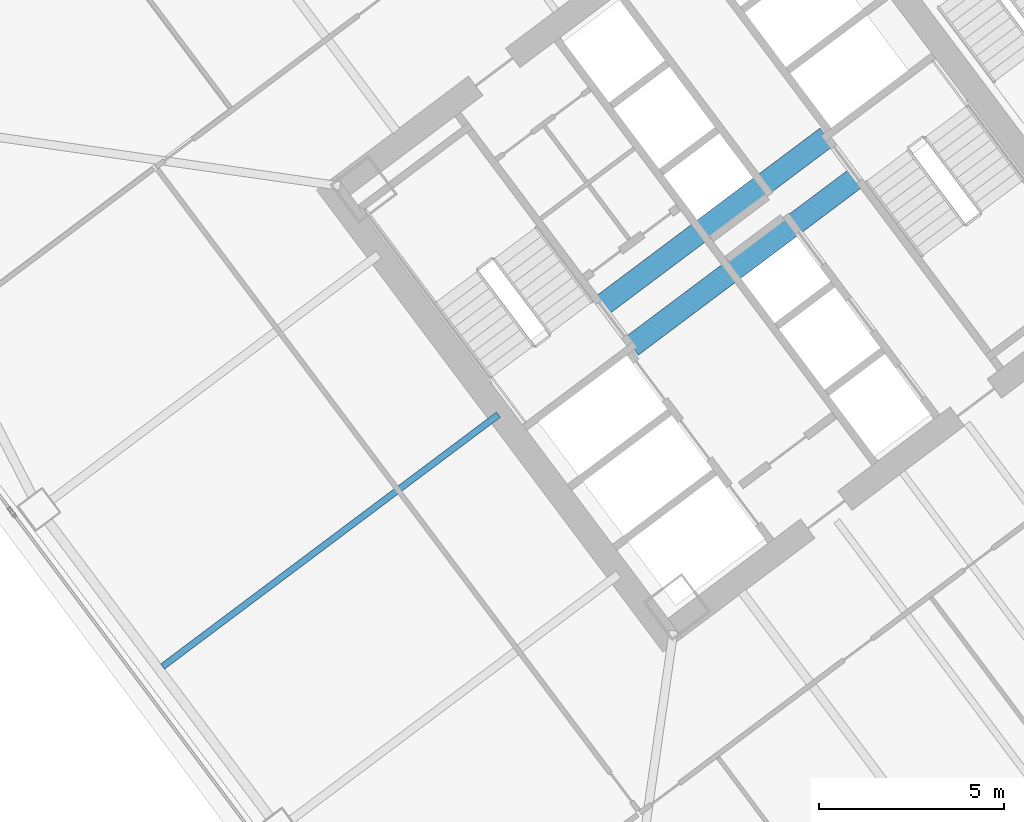
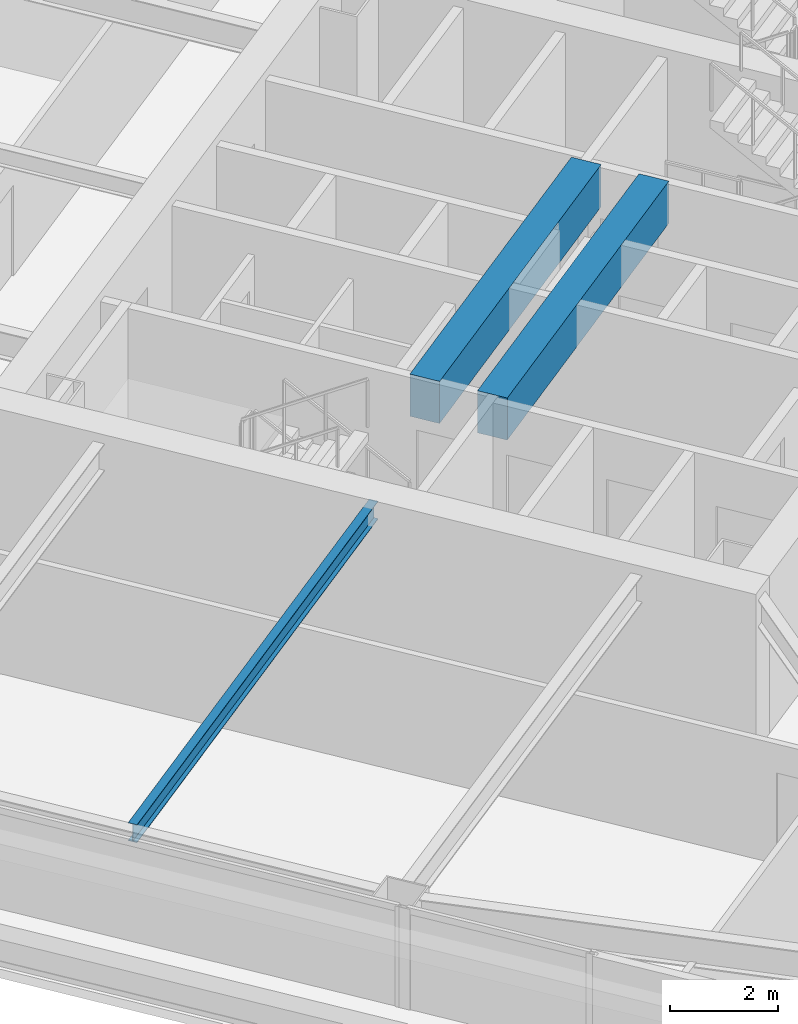
# One storey, part 22 of 44: 3 beams.
"""IFC4 building model written with IfcOpenShell, lengths in metres."""

from ifc_helpers import new_model, si_unit, direction, frame, origin, origin_2d, place, context, subcontext, project, spatial, rectangle, i_section, extrude, material, material_profile, profile_set, type_object, element, save


model = new_model("IFC4")

# Units and contexts
model_context = context("Model", 3, precision=1e-05, world=origin(), true_north=direction((0.0, 1.0)))
body_context = subcontext(model_context, "Body", "Model", "MODEL_VIEW")
ifc_project = project(units=[si_unit("LENGTHUNIT", "METRE"), si_unit("AREAUNIT", "SQUARE_METRE"), si_unit("VOLUMEUNIT", "CUBIC_METRE"), si_unit("PLANEANGLEUNIT", "RADIAN"), si_unit("MASSUNIT", "GRAM", prefix="KILO")], contexts=[model_context])

# Site, building, storey
site_placement = place(None, origin())
site = spatial("IfcSite", under=ifc_project, at=site_placement, CompositionType="ELEMENT")
building_placement = place(site_placement, origin())
building = spatial("IfcBuilding", under=site, at=building_placement, Name="Tashvorn Skyway Center", CompositionType="ELEMENT")
storey_placement = place(building_placement, frame((0.0, 0.0, 74.300048828125)))
storey = spatial("IfcBuildingStorey", under=building, at=storey_placement, Name="L19", CompositionType="ELEMENT", Elevation=74.300048828125)

# Beams
ifc_material_1 = material(Name="Steel ASTM A992 Grade 50", Category="steel")
ifc_material_profile_1 = material_profile(ifc_material_1, i_section(OverallWidth=0.177978515625, OverallDepth=0.406005859375, WebThickness=0.0078125, FlangeThickness=0.0126953125, at=origin_2d()), Name="W16X40")
ifc_profile_set_1 = profile_set([ifc_material_profile_1], Name="Steel ASTM A992 Grade 50")
beam_type_1 = type_object("IfcBeamType", Name="BM-JOIST-W16X40", PredefinedType="JOIST", material=ifc_profile_set_1)
beam_placement = place(storey_placement, frame((107.76806640625, 27.325927734375, 3.14697265625), z_axis=(-0.800002583493, -0.599996555327, 0.0), x_axis=(0.599996555327, -0.800002583493, 0.0)))
element("IfcBeam", 1, at=beam_placement, inside=storey, type_object=beam_type_1, Name="Tower 2 L19 Secondary Composite Joist JW", PredefinedType="JOIST", context=body_context, shape_type="SweptSolid", body=[
    extrude(i_section(OverallWidth=0.177978515625, OverallDepth=0.406005859375, WebThickness=0.0078125, FlangeThickness=0.0126953125, at=origin_2d()), origin(), (0.0, 0.0, 1.0), 11.340087890625),
])
ifc_material_2 = material(Name="Concrete C60/75", Category="concrete")
ifc_material_profile_2 = material_profile(ifc_material_2, rectangle(XDim=0.60009765625, YDim=0.949951171875, at=origin_2d()), Name="RCB600x950")
ifc_profile_set_2 = profile_set([ifc_material_profile_2], Name="Concrete C60/75")
beam_type_2 = type_object("IfcBeamType", Name="BM-LINTEL-RCB600x950", PredefinedType="LINTEL", material=ifc_profile_set_2)
for number, where, z_axis, x_axis, name in (
    (2, (110.552001953125, 30.263916015625, 2.875), (0.8, 0.6, 0.0), (-0.6, 0.8, 0.0), "Tower 2 L19 Core Coupling Beam CN"),
    (3, (111.367919921875, 29.176025390625, 2.875), (0.8, 0.6, 0.0), (-0.6, 0.8, 0.0), "Tower 2 L19 Core Coupling Beam CS"),
):
    element("IfcBeam", number, at=place(storey_placement, frame(where, z_axis=z_axis, x_axis=x_axis)), inside=storey, type_object=beam_type_2, Name=name, PredefinedType="LINTEL", context=body_context, shape_type="SweptSolid", body=[
        extrude(rectangle(XDim=0.60009765625, YDim=0.949951171875, at=origin_2d()), origin(), (0.0, 0.0, 1.0), 7.60009765625),
    ])

save(model, "model.ifc")
